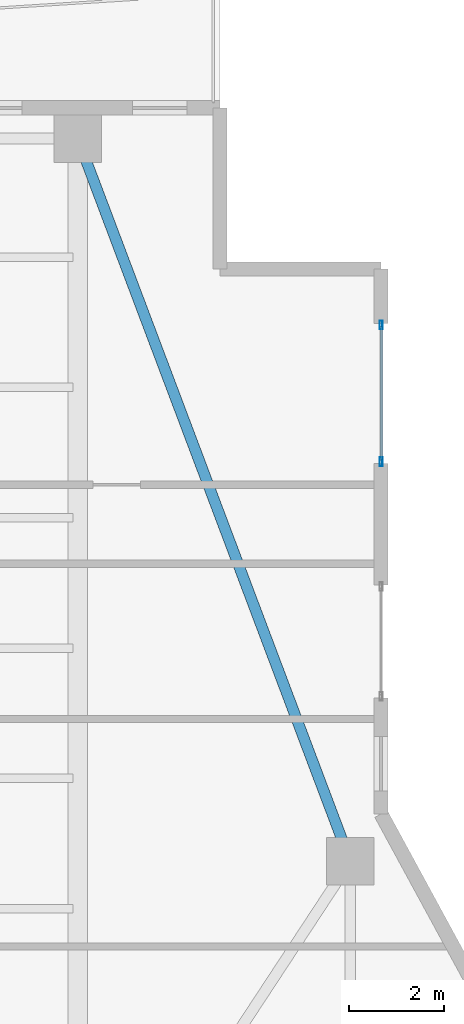
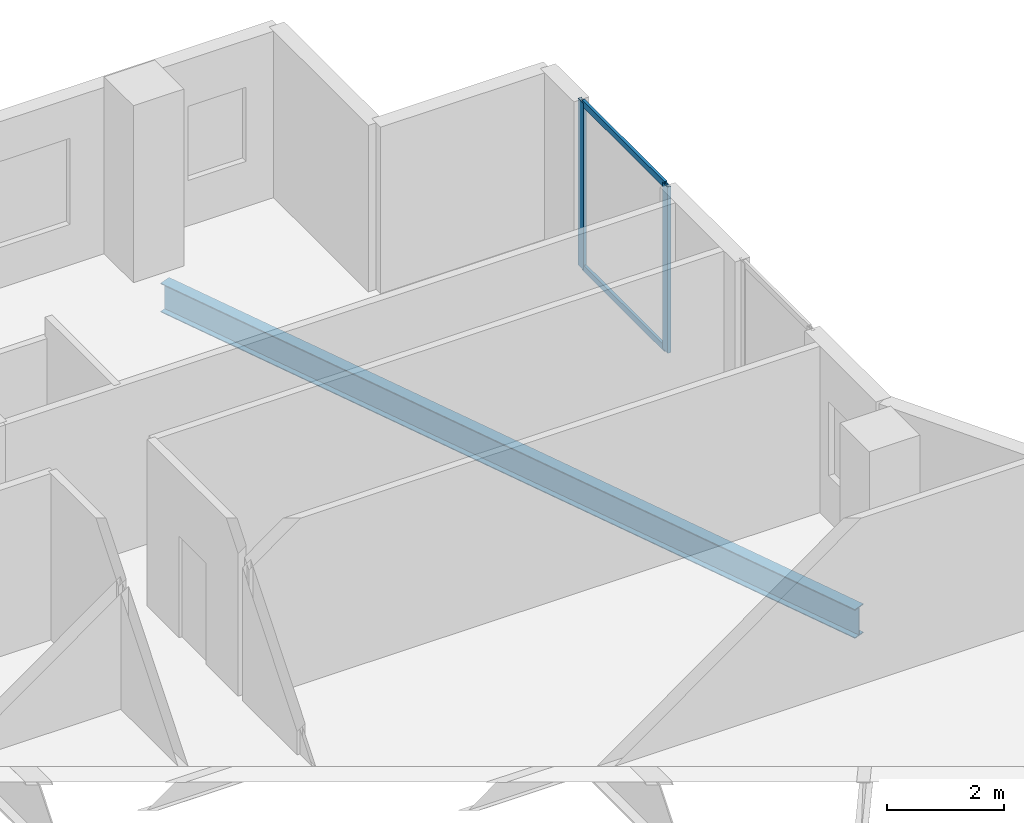
# One storey, part 16 of 24: 4 members, 1 beam, 1 element without a shape of its own.
"""IFC4 building model written with IfcOpenShell, lengths in metres."""

from ifc_helpers import new_model, si_unit, direction, frame, origin, origin_2d, place, context, subcontext, project, spatial, hollow_rectangle, i_section, extrude, material, layer, layer_set, material_profile, profile_set, type_object, element, aggregate, save


model = new_model("IFC4")

# Units and contexts
model_context = context("Model", 3, precision=1e-05, world=origin(), true_north=direction((0.0, 1.0)))
body_context = subcontext(model_context, "Body", "Model", "MODEL_VIEW")
ifc_project = project(units=[si_unit("LENGTHUNIT", "METRE"), si_unit("AREAUNIT", "SQUARE_METRE"), si_unit("VOLUMEUNIT", "CUBIC_METRE"), si_unit("PLANEANGLEUNIT", "RADIAN"), si_unit("MASSUNIT", "GRAM", prefix="KILO")], contexts=[model_context])

# Site, building, storey
site_placement = place(None, origin())
site = spatial("IfcSite", under=ifc_project, at=site_placement, CompositionType="ELEMENT")
building_placement = place(site_placement, origin())
building = spatial("IfcBuilding", under=site, at=building_placement, Name="Zuhayl Quay Hotel", CompositionType="ELEMENT")
storey_placement = place(building_placement, frame((0.0, 0.0, 280.35009765625)))
storey = spatial("IfcBuildingStorey", under=building, at=storey_placement, Name="L71", CompositionType="ELEMENT", Elevation=280.35009765625)

# Beam
ifc_material_1 = material(Name="Steel ASTM A992 Grade 50", Category="steel")
ifc_material_profile_1 = material_profile(ifc_material_1, i_section(OverallWidth=0.22802734375, OverallDepth=0.60693359375, WebThickness=0.01123046875, FlangeThickness=0.017333984375, at=origin_2d()), Name="W24X76")
ifc_profile_set_1 = profile_set([ifc_material_profile_1], Name="Steel ASTM A992 Grade 50")
beam_type = type_object("IfcBeamType", Name="BM_B3_W24X76", PredefinedType="BEAM", material=ifc_profile_set_1)
beam_placement = place(storey_placement, frame((19.3876953125, 23.530517578125, -0.523681640625), z_axis=(-0.352796603103, 0.935700035716, 0.0), x_axis=(-0.935700035716, -0.352796603103, 0.0)))
element("IfcBeam", 1, at=beam_placement, inside=storey, type_object=beam_type, Name="L71 Floor Beam RG_L71_06", PredefinedType="BEAM", context=body_context, shape_type="SweptSolid", body=[
    extrude(i_section(OverallWidth=0.22802734375, OverallDepth=0.60693359375, WebThickness=0.01123046875, FlangeThickness=0.017333984375, at=origin_2d()), origin(), (0.0, 0.0, 1.0), 15.3779296875),
])

# Curtain wall, members
ifc_material_2 = material(Name="Anodised Aluminium 6063-T6", Category="aluminium")
ifc_layer = layer(ifc_material_2, 0.169921875, Name="Anodised Aluminium 6063-T6", Category="aluminium")
ifc_layer_set = layer_set([ifc_layer], Name="Anodised Aluminium 6063-T6")
curtain_wall_type = type_object("IfcCurtainWallType", Name="CW_SYS_Z4", PredefinedType="USERDEFINED", material=ifc_layer_set)
curtain_wall_placement = place(storey_placement, origin())
curtain_wall = element("IfcCurtainWall", 2, at=curtain_wall_placement, inside=storey, type_object=curtain_wall_type, Name="L71 Curtain Wall ENV_L71_E11_CW1", ObjectType="UNITISED CURTAIN WALL", PredefinedType="USERDEFINED")
ifc_material_3 = material(Name="Black-anodised aluminium 6063-T6", Category="aluminium")
ifc_material_profile_2 = material_profile(ifc_material_3, hollow_rectangle(XDim=0.06494140625, YDim=0.179931640625, WallThickness=0.00341796875, at=origin_2d()), Name="ALU180X65")
ifc_profile_set_2 = profile_set([ifc_material_profile_2], Name="Black-anodised aluminium 6063-T6")
member_type_1 = type_object("IfcMemberType", Name="MB_CW_MUL_180", PredefinedType="MULLION", material=ifc_profile_set_2)
member_1_placement = place(storey_placement, frame((20.199951171875, 34.41748046875, 0.0), z_axis=(0.0, 0.0, 1.0), x_axis=(1.0, 0.0, 0.0)))
member_1 = element("IfcMember", 3, at=member_1_placement, type_object=member_type_1, Name="CW-Z4 mullion 1", PredefinedType="MULLION", context=body_context, shape_type="SweptSolid", body=[
    extrude(hollow_rectangle(XDim=0.06494140625, YDim=0.179931640625, WallThickness=0.00341796875, at=origin_2d()), origin(), (0.0, 0.0, 1.0), 3.47998046875),
])
member_2_placement = place(storey_placement, frame((20.199951171875, 31.532470703125, 0.0), z_axis=(0.0, 0.0, 1.0), x_axis=(1.0, 0.0, 0.0)))
member_2 = element("IfcMember", 4, at=member_2_placement, type_object=member_type_1, Name="CW-Z4 mullion 2", PredefinedType="MULLION", context=body_context, shape_type="SweptSolid", body=[
    extrude(hollow_rectangle(XDim=0.06494140625, YDim=0.179931640625, WallThickness=0.00341796875, at=origin_2d()), origin(), (0.0, 0.0, 1.0), 3.47998046875),
])
ifc_material_profile_3 = material_profile(ifc_material_3, hollow_rectangle(XDim=0.054931640625, YDim=0.1298828125, WallThickness=0.0029296875, at=origin_2d()), Name="ALU130X55")
ifc_profile_set_3 = profile_set([ifc_material_profile_3], Name="Black-anodised aluminium 6063-T6")
member_type_2 = type_object("IfcMemberType", Name="MB_CW_TRN_130", PredefinedType="USERDEFINED", material=ifc_profile_set_3)
member_3_placement = place(storey_placement, frame((20.199951171875, 34.385009765625, 0.02734375), z_axis=(0.0, -1.0, 0.0), x_axis=(1.0, 0.0, 0.0)))
member_3 = element("IfcMember", 5, at=member_3_placement, type_object=member_type_2, Name="CW-Z4 transom 1.1", ObjectType="TRANSOM", PredefinedType="USERDEFINED", context=body_context, shape_type="SweptSolid", body=[
    extrude(hollow_rectangle(XDim=0.054931640625, YDim=0.1298828125, WallThickness=0.0029296875, at=origin_2d()), origin(), (0.0, 0.0, 1.0), 2.820068359375),
])
member_4_placement = place(storey_placement, frame((20.199951171875, 34.385009765625, 3.452392578125), z_axis=(0.0, -1.0, 0.0), x_axis=(1.0, 0.0, 0.0)))
member_4 = element("IfcMember", 6, at=member_4_placement, type_object=member_type_2, Name="CW-Z4 transom 1.2", ObjectType="TRANSOM", PredefinedType="USERDEFINED", context=body_context, shape_type="SweptSolid", body=[
    extrude(hollow_rectangle(XDim=0.054931640625, YDim=0.1298828125, WallThickness=0.0029296875, at=origin_2d()), origin(), (0.0, 0.0, 1.0), 2.820068359375),
])
aggregate(curtain_wall, [member_1, member_2, member_3, member_4])

save(model, "model.ifc")
